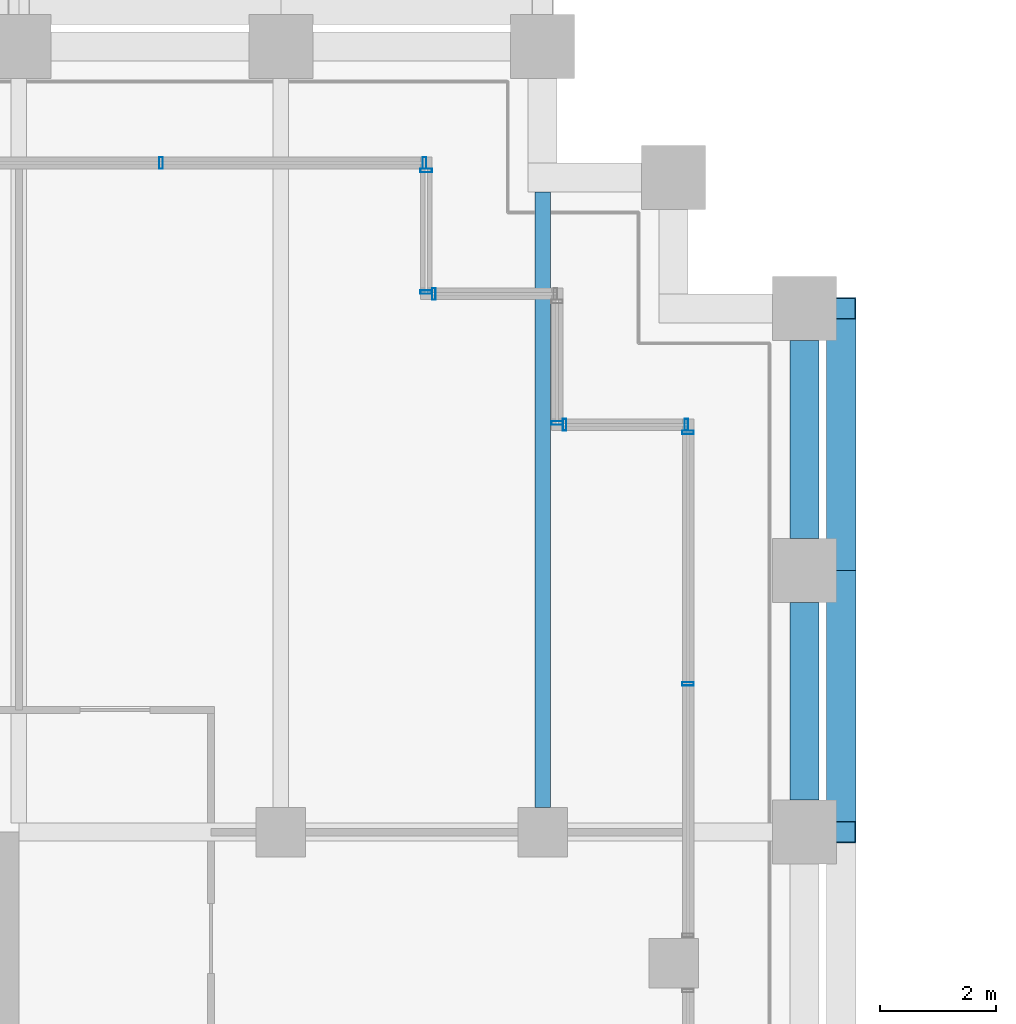
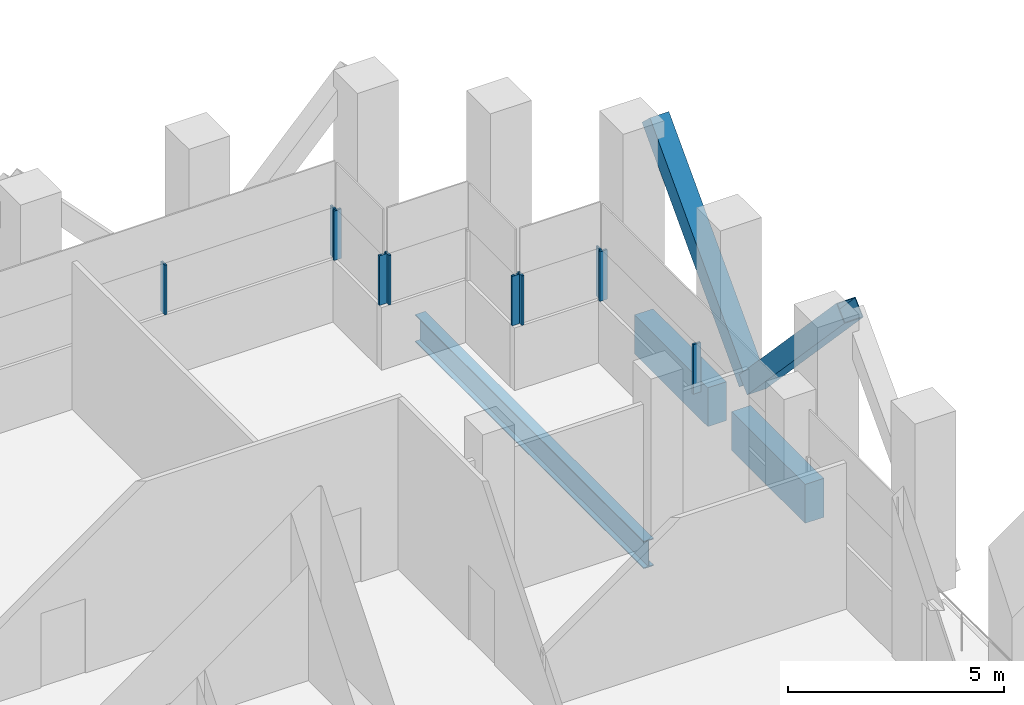
# One storey, part 22 of 44: 12 members, 3 beams, 6 elements without a shape of their own.
"""IFC4 building model written with IfcOpenShell, lengths in metres."""

from ifc_helpers import new_model, si_unit, direction, frame, origin, origin_2d, place, context, subcontext, project, spatial, rectangle, hollow_rectangle, i_section, extrude, material, material_profile, profile_set, type_object, element, aggregate, save


model = new_model("IFC4")

# Units and contexts
model_context = context("Model", 3, precision=1e-05, world=origin(), true_north=direction((0.0, 1.0)))
body_context = subcontext(model_context, "Body", "Model", "MODEL_VIEW")
ifc_project = project(units=[si_unit("LENGTHUNIT", "METRE"), si_unit("AREAUNIT", "SQUARE_METRE"), si_unit("VOLUMEUNIT", "CUBIC_METRE"), si_unit("PLANEANGLEUNIT", "RADIAN"), si_unit("MASSUNIT", "GRAM", prefix="KILO")], contexts=[model_context])

# Site, building, storey
site_placement = place(None, origin())
site = spatial("IfcSite", under=ifc_project, at=site_placement, CompositionType="ELEMENT")
building_placement = place(site_placement, origin())
building = spatial("IfcBuilding", under=site, at=building_placement, Name="Altepetl Exchange Towers", CompositionType="ELEMENT")
storey_placement = place(building_placement, frame((0.0, 0.0, 87.0)))
storey = spatial("IfcBuildingStorey", under=building, at=storey_placement, Name="L21 Refuge", CompositionType="ELEMENT", Elevation=87.0)

# Members
ifc_material_1 = material(Name="Steel S355", Category="steel")
ifc_material_profile_1 = material_profile(ifc_material_1, hollow_rectangle(XDim=0.508056640625, YDim=0.508056640625, WallThickness=0.017578125, at=origin_2d()), Name="HSS508X508X19.0")
ifc_profile_set_1 = profile_set([ifc_material_profile_1], Name="Steel S355")
member_type_1 = type_object("IfcMemberType", Name="Belt diagonal HSS508X508X19.0", PredefinedType="BRACE", material=ifc_profile_set_1)
for number, where, z_axis, x_axis, name in (
    (1, (72.6298828125, 58.5, 4.75), (0.0, 0.687744647911, -0.725952683906), (-1.0, 0.0, 0.0), "brc:A:L21:011"),
    (2, (72.6298828125, 63.0, 0.0), (0.0, 0.687744647911, 0.725952683906), (-1.0, 0.0, 0.0), "brc:A:L21:012"),
):
    element("IfcMember", number, at=place(storey_placement, frame(where, z_axis=z_axis, x_axis=x_axis)), inside=storey, type_object=member_type_1, Name=name, PredefinedType="BRACE", context=body_context, shape_type="SweptSolid", body=[
        extrude(hollow_rectangle(XDim=0.508056640625, YDim=0.508056640625, WallThickness=0.017578125, at=origin_2d()), origin(), (0.0, 0.0, 1.0), 6.543212890625),
    ])

# Beam
ifc_material_profile_2 = material_profile(ifc_material_1, i_section(OverallWidth=0.26806640625, OverallDepth=0.77392578125, WebThickness=0.015380859375, FlangeThickness=0.025390625, at=origin_2d()), Name="W30X132")
ifc_profile_set_2 = profile_set([ifc_material_profile_2], Name="Steel S355")
beam_type_1 = type_object("IfcBeamType", Name="Floor beam W30X132", PredefinedType="BEAM", material=ifc_profile_set_2)
beam_placement = place(storey_placement, frame((67.5, 58.925048828125, -0.5869140625), z_axis=(0.0, 1.0, 0.0), x_axis=(-1.0, 0.0, 0.0)))
element("IfcBeam", 3, at=beam_placement, inside=storey, type_object=beam_type_1, Name="bm:A:L21:005", PredefinedType="BEAM", context=body_context, shape_type="SweptSolid", body=[
    extrude(i_section(OverallWidth=0.26806640625, OverallDepth=0.77392578125, WebThickness=0.015380859375, FlangeThickness=0.025390625, at=origin_2d()), origin(), (0.0, 0.0, 1.0), 10.574951171875),
])

# Curtain wall, members
ifc_material_2 = material(Name="Aluminium 6063-T6 glazing", Category="aluminium")
curtain_wall_type = type_object("IfcCurtainWallType", Name="Refuge slit glazing system", PredefinedType="NOTDEFINED", material=ifc_material_2)
curtain_wall_1_placement = place(storey_placement, origin())
curtain_wall_1 = element("IfcCurtainWall", 4, at=curtain_wall_1_placement, inside=storey, type_object=curtain_wall_type, Name="CW3 run", PredefinedType="NOTDEFINED")
ifc_material_3 = material(Name="Aluminium 6063-T6", Category="aluminium")
ifc_material_profile_3 = material_profile(ifc_material_3, hollow_rectangle(XDim=0.06005859375, YDim=0.199951171875, WallThickness=0.0029296875, at=origin_2d()), Name="Mullion 60x200 aluminium")
ifc_profile_set_3 = profile_set([ifc_material_profile_3], Name="Aluminium 6063-T6")
member_type_2 = type_object("IfcMemberType", Name="Mullion 60x200 aluminium", PredefinedType="MULLION", material=ifc_profile_set_3)
member_1_placement = place(storey_placement, frame((70.0, 61.047607421875, 1.800048828125), z_axis=(0.0, 0.0, 1.0), x_axis=(0.0, 1.0, 0.0)))
member_1 = element("IfcMember", 5, at=member_1_placement, type_object=member_type_2, Name="MU2 mullion", PredefinedType="MULLION", context=body_context, shape_type="SweptSolid", body=[
    extrude(hollow_rectangle(XDim=0.06005859375, YDim=0.199951171875, WallThickness=0.0029296875, at=origin_2d()), origin(), (0.0, 0.0, 1.0), 1.39990234375),
])
member_2_placement = place(storey_placement, frame((70.0, 65.3701171875, 1.800048828125), z_axis=(0.0, 0.0, 1.0), x_axis=(0.0, 1.0, 0.0)))
member_2 = element("IfcMember", 6, at=member_2_placement, type_object=member_type_2, Name="MU2 mullion", PredefinedType="MULLION", context=body_context, shape_type="SweptSolid", body=[
    extrude(hollow_rectangle(XDim=0.06005859375, YDim=0.199951171875, WallThickness=0.0029296875, at=origin_2d()), origin(), (0.0, 0.0, 1.0), 1.39990234375),
])
aggregate(curtain_wall_1, [member_1, member_2])

curtain_wall_2_placement = place(storey_placement, origin())
curtain_wall_2 = element("IfcCurtainWall", 7, at=curtain_wall_2_placement, inside=storey, type_object=curtain_wall_type, Name="CW3 run", PredefinedType="NOTDEFINED")
member_3_placement = place(storey_placement, frame((69.969970703125, 65.5, 1.800048828125), z_axis=(0.0, 0.0, 1.0), x_axis=(-1.0, 0.0, 0.0)))
member_3 = element("IfcMember", 8, at=member_3_placement, type_object=member_type_2, Name="MU2 mullion", PredefinedType="MULLION", context=body_context, shape_type="SweptSolid", body=[
    extrude(hollow_rectangle(XDim=0.06005859375, YDim=0.199951171875, WallThickness=0.0029296875, at=origin_2d()), origin(), (0.0, 0.0, 1.0), 1.39990234375),
])
member_4_placement = place(storey_placement, frame((67.8798828125, 65.5, 1.800048828125), z_axis=(0.0, 0.0, 1.0), x_axis=(-1.0, 0.0, 0.0)))
member_4 = element("IfcMember", 9, at=member_4_placement, type_object=member_type_2, Name="MU2 mullion", PredefinedType="MULLION", context=body_context, shape_type="SweptSolid", body=[
    extrude(hollow_rectangle(XDim=0.06005859375, YDim=0.199951171875, WallThickness=0.0029296875, at=origin_2d()), origin(), (0.0, 0.0, 1.0), 1.39990234375),
])
aggregate(curtain_wall_2, [member_3, member_4])

# Curtain wall, member
curtain_wall_3_placement = place(storey_placement, origin())
curtain_wall_3 = element("IfcCurtainWall", 10, at=curtain_wall_3_placement, inside=storey, type_object=curtain_wall_type, Name="CW3 run", PredefinedType="NOTDEFINED")
member_5_placement = place(storey_placement, frame((67.75, 65.530029296875, 1.800048828125), z_axis=(0.0, 0.0, 1.0), x_axis=(0.0, 1.0, 0.0)))
member_5 = element("IfcMember", 11, at=member_5_placement, type_object=member_type_2, Name="MU2 mullion", PredefinedType="MULLION", context=body_context, shape_type="SweptSolid", body=[
    extrude(hollow_rectangle(XDim=0.06005859375, YDim=0.199951171875, WallThickness=0.0029296875, at=origin_2d()), origin(), (0.0, 0.0, 1.0), 1.39990234375),
])
aggregate(curtain_wall_3, [member_5])

curtain_wall_4_placement = place(storey_placement, origin())
curtain_wall_4 = element("IfcCurtainWall", 12, at=curtain_wall_4_placement, inside=storey, type_object=curtain_wall_type, Name="CW3 run", PredefinedType="NOTDEFINED")
member_6_placement = place(storey_placement, frame((65.6298828125, 67.75, 1.800048828125), z_axis=(0.0, 0.0, 1.0), x_axis=(-1.0, 0.0, 0.0)))
member_6 = element("IfcMember", 13, at=member_6_placement, type_object=member_type_2, Name="MU2 mullion", PredefinedType="MULLION", context=body_context, shape_type="SweptSolid", body=[
    extrude(hollow_rectangle(XDim=0.06005859375, YDim=0.199951171875, WallThickness=0.0029296875, at=origin_2d()), origin(), (0.0, 0.0, 1.0), 1.39990234375),
])
aggregate(curtain_wall_4, [member_6])

# Curtain wall, members
curtain_wall_5_placement = place(storey_placement, origin())
curtain_wall_5 = element("IfcCurtainWall", 14, at=curtain_wall_5_placement, inside=storey, type_object=curtain_wall_type, Name="CW3 run", PredefinedType="NOTDEFINED")
member_7_placement = place(storey_placement, frame((65.5, 67.780029296875, 1.800048828125), z_axis=(0.0, 0.0, 1.0), x_axis=(0.0, 1.0, 0.0)))
member_7 = element("IfcMember", 15, at=member_7_placement, type_object=member_type_2, Name="MU2 mullion", PredefinedType="MULLION", context=body_context, shape_type="SweptSolid", body=[
    extrude(hollow_rectangle(XDim=0.06005859375, YDim=0.199951171875, WallThickness=0.0029296875, at=origin_2d()), origin(), (0.0, 0.0, 1.0), 1.39990234375),
])
member_8_placement = place(storey_placement, frame((65.5, 69.8701171875, 1.800048828125), z_axis=(0.0, 0.0, 1.0), x_axis=(0.0, 1.0, 0.0)))
member_8 = element("IfcMember", 16, at=member_8_placement, type_object=member_type_2, Name="MU2 mullion", PredefinedType="MULLION", context=body_context, shape_type="SweptSolid", body=[
    extrude(hollow_rectangle(XDim=0.06005859375, YDim=0.199951171875, WallThickness=0.0029296875, at=origin_2d()), origin(), (0.0, 0.0, 1.0), 1.39990234375),
])
aggregate(curtain_wall_5, [member_7, member_8])

curtain_wall_6_placement = place(storey_placement, origin())
curtain_wall_6 = element("IfcCurtainWall", 17, at=curtain_wall_6_placement, inside=storey, type_object=curtain_wall_type, Name="CW3 run", PredefinedType="NOTDEFINED")
member_9_placement = place(storey_placement, frame((65.469970703125, 70.0, 1.800048828125), z_axis=(0.0, 0.0, 1.0), x_axis=(-1.0, 0.0, 0.0)))
member_9 = element("IfcMember", 18, at=member_9_placement, type_object=member_type_2, Name="MU2 mullion", PredefinedType="MULLION", context=body_context, shape_type="SweptSolid", body=[
    extrude(hollow_rectangle(XDim=0.06005859375, YDim=0.199951171875, WallThickness=0.0029296875, at=origin_2d()), origin(), (0.0, 0.0, 1.0), 1.39990234375),
])
member_10_placement = place(storey_placement, frame((60.94287109375, 70.0, 1.800048828125), z_axis=(0.0, 0.0, 1.0), x_axis=(-1.0, 0.0, 0.0)))
member_10 = element("IfcMember", 19, at=member_10_placement, type_object=member_type_2, Name="MU2 mullion", PredefinedType="MULLION", context=body_context, shape_type="SweptSolid", body=[
    extrude(hollow_rectangle(XDim=0.06005859375, YDim=0.199951171875, WallThickness=0.0029296875, at=origin_2d()), origin(), (0.0, 0.0, 1.0), 1.39990234375),
])
aggregate(curtain_wall_6, [member_9, member_10])

# Beams
ifc_material_4 = material(Name="Concrete C50/60 precast with cantera rosa facing", Category="concrete")
ifc_material_profile_4 = material_profile(ifc_material_4, rectangle(XDim=0.5, YDim=1.10009765625, at=origin_2d()), Name="500 x 1100")
ifc_profile_set_4 = profile_set([ifc_material_profile_4], Name="Concrete C50/60 precast with cantera rosa facing")
beam_type_2 = type_object("IfcBeamType", Name="Spandrel beam 500x1100 cantera rosa", PredefinedType="SPANDREL", material=ifc_profile_set_4)
for number, where, z_axis, x_axis, name in (
    (20, (72.0, 59.050048828125, -0.75), (0.0, 1.0, 0.0), (-1.0, 0.0, 0.0), "sp:A:L21:018"),
    (21, (72.0, 63.550048828125, -0.75), (0.0, 1.0, 0.0), (-1.0, 0.0, 0.0), "sp:A:L21:019"),
):
    element("IfcBeam", number, at=place(storey_placement, frame(where, z_axis=z_axis, x_axis=x_axis)), inside=storey, type_object=beam_type_2, Name=name, PredefinedType="SPANDREL", context=body_context, shape_type="SweptSolid", body=[
        extrude(rectangle(XDim=0.5, YDim=1.10009765625, at=origin_2d()), origin(), (0.0, 0.0, 1.0), 3.39990234375),
    ])

save(model, "model.ifc")
